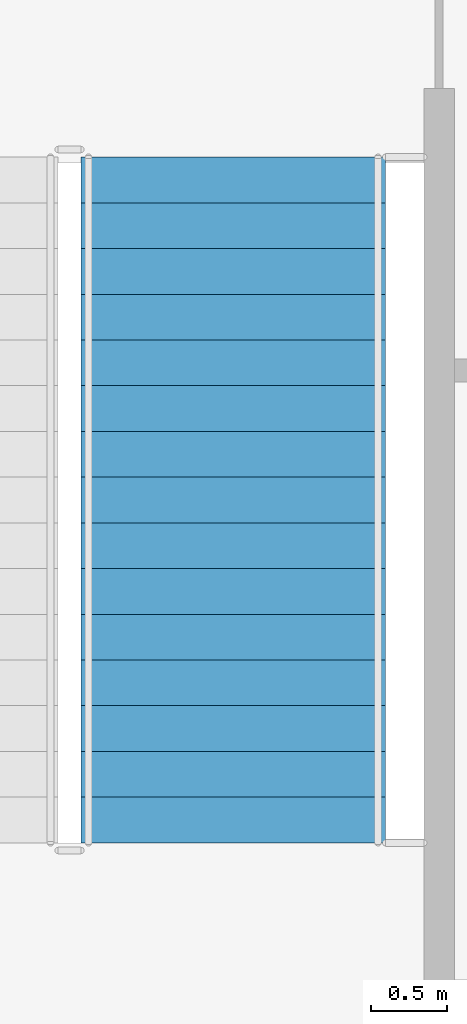
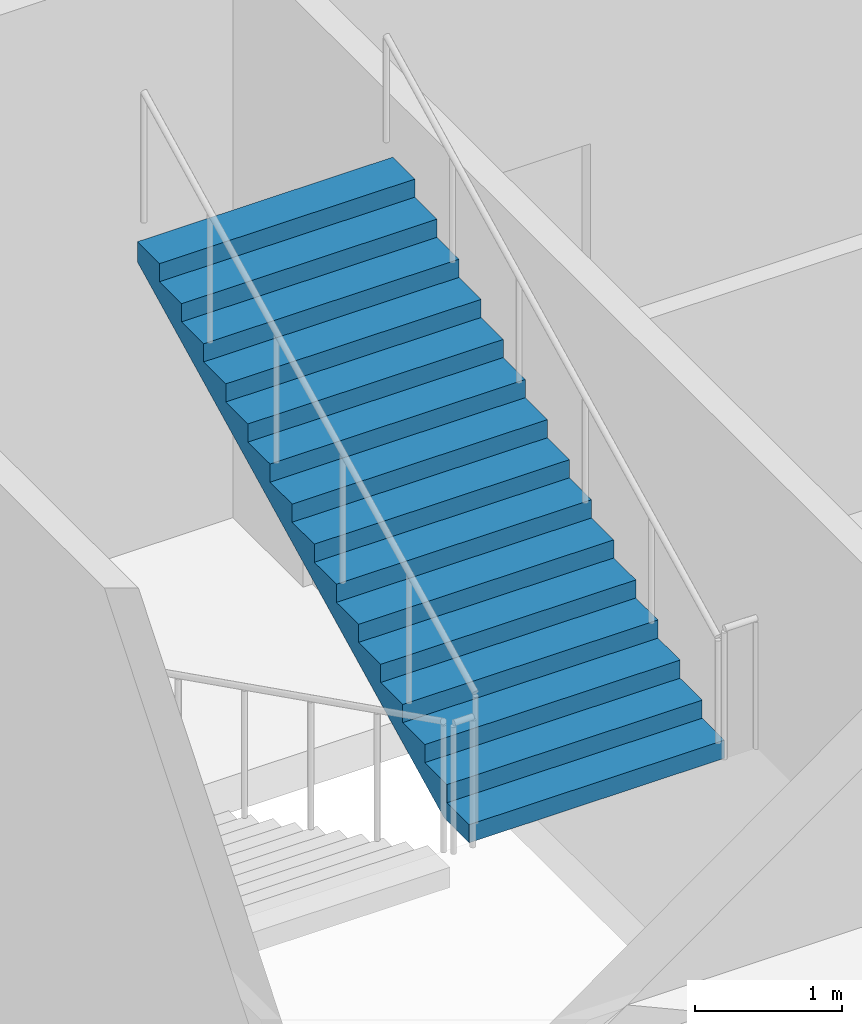
# One storey, part 61 of 86: 1 stair flight, 1 element without a shape of its own.
"""IFC4 building model written with IfcOpenShell, lengths in metres."""

import ifcopenshell
import ifcopenshell.guid

model = None  # the IFC model being written
_history = None  # IfcOwnerHistory: only IFC2X3 demands one
_inside = {}  # id of a spatial element -> (the spatial element, [elements in it])
_under = {}  # id of a project, library or spatial element -> (it, [spatial elements below it])
_declared = {}  # id of a project -> (the project, [libraries it declares])
_typed = {}  # id of a type object -> (the type object, [elements of that type])
_made_of = {}  # id of a material, layer set ... -> (it, [elements and type objects made of it])


def new_model(schema):
    """Start an empty IFC model of exactly this schema.

    Asked for "IFC4X3", IfcOpenShell would pick the latest addendum, in which some entities
    have other attributes; the version numbers below select the first issue.
    IFC2X3 requires an IfcOwnerHistory on every rooted entity: one is made here for all.
    """
    global model, _history
    if schema == "IFC4X3":
        model = ifcopenshell.file(schema_version=(4, 3, 0, 0))
    else:
        model = ifcopenshell.file(schema=schema)
    _inside.clear()
    _under.clear()
    _declared.clear()
    _typed.clear()
    _made_of.clear()
    _history = None
    if model.schema == "IFC2X3":
        org = make("IfcOrganization", Name="unknown")
        user = make(
            "IfcPersonAndOrganization",
            ThePerson=make("IfcPerson", FamilyName="unknown"),
            TheOrganization=org,
        )
        app = make(
            "IfcApplication",
            ApplicationDeveloper=org,
            Version="unknown",
            ApplicationFullName="unknown",
            ApplicationIdentifier="unknown",
        )
        _history = make(
            "IfcOwnerHistory",
            OwningUser=user,
            OwningApplication=app,
            ChangeAction="ADDED",
            CreationDate=0,
        )
    return model


def make(cls, **values):
    """One entity of the class cls with the attributes given. An attribute that is None is left unset."""
    return model.create_entity(
        cls, **{name: value for name, value in values.items() if value is not None}
    )


def rooted(cls, **values):
    """An entity with a GlobalId (a new one), such as an element, a storey or a relation."""
    return make(cls, GlobalId=ifcopenshell.guid.new(), OwnerHistory=_history, **values)


def si_unit(unit_type, name, prefix=None):
    """IfcSIUnit, for example si_unit("LENGTHUNIT", "METRE", prefix="MILLI")."""
    return make("IfcSIUnit", UnitType=unit_type, Prefix=prefix, Name=name)


def assignment(units):
    """IfcUnitAssignment: the units of a project."""
    return None if units is None else make("IfcUnitAssignment", Units=units)


def point(xyz):
    """IfcCartesianPoint."""
    return None if xyz is None else make("IfcCartesianPoint", Coordinates=xyz)


def direction(xyz):
    """IfcDirection."""
    return None if xyz is None else make("IfcDirection", DirectionRatios=xyz)


def frame(location, z_axis=None, x_axis=None):
    """IfcAxis2Placement3D, a coordinate frame: its origin and axes. An axis left out is left unset."""
    return make(
        "IfcAxis2Placement3D",
        Location=point(location),
        Axis=direction(z_axis),
        RefDirection=direction(x_axis),
    )


def origin():
    """The frame at (0, 0, 0) with its axes left unset."""
    return frame((0.0, 0.0, 0.0))


def place(relative_to, where):
    """IfcLocalPlacement: puts the frame where relative to a parent placement (None: the world)."""
    return make(
        "IfcLocalPlacement", PlacementRelTo=relative_to, RelativePlacement=where
    )


def context(
    kind, dimensions, precision=None, world=None, true_north=None, identifier=None
):
    """IfcGeometricRepresentationContext, for example the 3D "Model" context."""
    return make(
        "IfcGeometricRepresentationContext",
        ContextIdentifier=identifier,
        ContextType=kind,
        CoordinateSpaceDimension=dimensions,
        Precision=precision,
        WorldCoordinateSystem=world,
        TrueNorth=true_north,
    )


def subcontext(parent, identifier, kind, view, scale=None):
    """IfcGeometricRepresentationSubContext, for example "Body" below "Model"."""
    return make(
        "IfcGeometricRepresentationSubContext",
        ContextIdentifier=identifier,
        ContextType=kind,
        ParentContext=parent,
        TargetScale=scale,
        TargetView=view,
    )


def project(units=None, contexts=None):
    """IfcProject with its units and contexts."""
    return rooted(
        "IfcProject",
        Name="project",
        RepresentationContexts=contexts,
        UnitsInContext=assignment(units),
    )


def spatial(cls, under=None, at=None, **own):
    """A site, building, storey or space (cls), placed at a placement, below another one or the project."""
    s = rooted(cls, ObjectPlacement=at, **own)
    if under is not None:
        _under.setdefault(under.id(), (under, []))[1].append(s)
    return s


def faces_of(points, faces, orient=None, outer=None):
    """IfcFace entities. A face is a list of loops; a loop is a list of indices into points, from 0.

    orient and outer hold one flag for each loop. By default every Orientation is true, the
    first loop of a face is its IfcFaceOuterBound and the others are IfcFaceBound.
    """
    made = []
    for i, loops in enumerate(faces):
        bounds = []
        for j, loop in enumerate(loops):
            is_outer = j == 0 if outer is None else outer[i][j]
            bounds.append(
                make(
                    "IfcFaceOuterBound" if is_outer else "IfcFaceBound",
                    Bound=make("IfcPolyLoop", Polygon=[points[k] for k in loop]),
                    Orientation=True if orient is None else orient[i][j],
                )
            )
        made.append(make("IfcFace", Bounds=bounds))
    return made


def faceted_brep(points, faces, orient=None, outer=None, voids=None):
    """IfcFacetedBrep: a solid bounded by flat faces; with voids (closed shells), ...WithVoids."""
    shared = [point(p) for p in points]
    hull = make("IfcClosedShell", CfsFaces=faces_of(shared, faces, orient, outer))
    if voids is None:
        return make("IfcFacetedBrep", Outer=hull)
    return make(
        "IfcFacetedBrepWithVoids",
        Outer=hull,
        Voids=[
            make(cls, CfsFaces=faces_of(shared, fs, o, b)) for cls, fs, o, b in voids
        ],
    )


def shape(context_of_items, identifier, shape_type, items):
    """IfcShapeRepresentation: the items that make up one representation, for example the "Body"."""
    return make(
        "IfcShapeRepresentation",
        ContextOfItems=context_of_items,
        RepresentationIdentifier=identifier,
        RepresentationType=shape_type,
        Items=items,
    )


def material(Name=None, Category=None):
    """IfcMaterial."""
    return make("IfcMaterial", Name=Name, Category=Category)


def made_of(thing, what):
    """Note that an element or type object is made of a material, layer set ...; save() writes the relation."""
    if what is not None:
        _made_of.setdefault(what.id(), (what, []))[1].append(thing)
    return thing


def type_object(cls, material=None, **own):
    """A type object (cls), such as IfcWallType, which elements share."""
    return made_of(rooted(cls, **own), material)


def element(
    cls,
    number,
    at=None,
    inside=None,
    cuts=None,
    type_object=None,
    material=None,
    context=None,
    identifier="Body",
    shape_type=None,
    held_by="IfcProductDefinitionShape",
    body=None,
    shapes=None,
    **own,
):
    """One element of the class cls, such as IfcWall. Its Tag is "e" and its number.

    at: its placement. inside: the storey or other place that contains it. cuts: it is an
    opening in that element (IfcRelVoidsElement). A single representation is given by context,
    identifier, shape_type and body (its items); several are given by shapes. held_by: the class
    of the entity that holds the representations. save() writes the other relations.
    """
    e = rooted(cls, Tag="e%d" % number, ObjectPlacement=at, **own)
    if body is not None:
        shapes = [shape(context, identifier, shape_type, body)]
    if shapes is not None:
        e.Representation = make(held_by, Representations=shapes)
    if inside is not None:
        _inside.setdefault(inside.id(), (inside, []))[1].append(e)
    if cuts is not None:
        rooted(
            "IfcRelVoidsElement", RelatingBuildingElement=cuts, RelatedOpeningElement=e
        )
    if type_object is not None:
        _typed.setdefault(type_object.id(), (type_object, []))[1].append(e)
    return made_of(e, material)


def aggregate(whole, parts):
    """IfcRelAggregates: a whole, such as a stair, and the parts it consists of."""
    return rooted("IfcRelAggregates", RelatingObject=whole, RelatedObjects=parts)


def save(model, path):
    """Write the relations noted so far, then the file.

    IfcRelAggregates (storeys below a building ...), IfcRelContainedInSpatialStructure (elements
    in a storey), IfcRelDefinesByType, IfcRelAssociatesMaterial and IfcRelDeclares: one each for
    every whole, place, type object, material and project.
    """
    for whole, parts in _under.values():
        aggregate(whole, parts)
    for where, things in _inside.values():
        rooted(
            "IfcRelContainedInSpatialStructure",
            RelatedElements=things,
            RelatingStructure=where,
        )
    for kind, things in _typed.values():
        rooted("IfcRelDefinesByType", RelatedObjects=things, RelatingType=kind)
    for what, things in _made_of.values():
        rooted("IfcRelAssociatesMaterial", RelatedObjects=things, RelatingMaterial=what)
    for by, libraries in _declared.values():
        rooted("IfcRelDeclares", RelatingContext=by, RelatedDefinitions=libraries)
    model.write(path)


model = new_model("IFC4")

# Units and contexts
model_context = context("Model", 3, precision=1e-05, world=origin(), true_north=direction((0.0, 1.0)))
body_context = subcontext(model_context, "Body", "Model", "MODEL_VIEW")
ifc_project = project(units=[si_unit("LENGTHUNIT", "METRE"), si_unit("AREAUNIT", "SQUARE_METRE"), si_unit("VOLUMEUNIT", "CUBIC_METRE"), si_unit("PLANEANGLEUNIT", "RADIAN"), si_unit("MASSUNIT", "GRAM", prefix="KILO")], contexts=[model_context])

# Site, building, storey
site_placement = place(None, origin())
site = spatial("IfcSite", under=ifc_project, at=site_placement, CompositionType="ELEMENT")
building_placement = place(site_placement, origin())
building = spatial("IfcBuilding", under=site, at=building_placement, Name="Kiln Court Media Centre", CompositionType="ELEMENT")
storey_placement = place(building_placement, frame((0.0, 0.0, 10.199951171875)))
storey = spatial("IfcBuildingStorey", under=building, at=storey_placement, Name="L02", CompositionType="ELEMENT", Elevation=10.199951171875)

# Stair, stair flight
ifc_material_1 = material(Name="Concrete C40/50", Category="concrete")
stair_type = type_object("IfcStairType", Name="Concrete C40/50 dog-leg stair 2000 wide, 150 riser", PredefinedType="HALF_TURN_STAIR", material=ifc_material_1)
stair_placement = place(storey_placement, origin())
stair = element("IfcStair", 1, at=stair_placement, inside=storey, type_object=stair_type, Name="ST-07 L02", PredefinedType="HALF_TURN_STAIR")
ifc_material_2 = material(Name="Concrete C40/50", Category="concrete")
stair_flight_type = type_object("IfcStairFlightType", Name="Concrete C40/50 stair flight 2000 wide, 150 riser, 300 going", PredefinedType="STRAIGHT", material=ifc_material_2)
stair_flight_placement = place(storey_placement, frame((3.35009765625, 59.89990234375, 2.400146484375), z_axis=(0.0, 0.0, 1.0), x_axis=(0.0, 1.0, 0.0)))
stair_flight = element("IfcStairFlight", 2, at=stair_flight_placement, type_object=stair_flight_type, Name="L02-ST-5006 flight 5013", NumberOfRisers=16, NumberOfTreads=15, PredefinedType="STRAIGHT", RiserHeight=0.15, TreadLength=0.3, context=body_context, shape_type="Brep", body=[
    faceted_brep([(0.335205078125, -1.0, 0.0), (4.5, -1.0, 2.08251953125), (4.5, -1.0, 2.25), (4.199951171875, -1.0, 2.25), (4.199951171875, -1.0, 2.10009765625), (3.89990234375, -1.0, 2.10009765625), (3.89990234375, -1.0, 1.949951171875), (3.60009765625, -1.0, 1.949951171875), (3.60009765625, -1.0, 1.800048828125), (3.300048828125, -1.0, 1.800048828125), (3.300048828125, -1.0, 1.64990234375), (3.0, -1.0, 1.64990234375), (3.0, -1.0, 1.5), (2.699951171875, -1.0, 1.5), (2.699951171875, -1.0, 1.35009765625), (2.39990234375, -1.0, 1.35009765625), (2.39990234375, -1.0, 1.199951171875), (2.10009765625, -1.0, 1.199951171875), (2.10009765625, -1.0, 1.050048828125), (1.800048828125, -1.0, 1.050048828125), (1.800048828125, -1.0, 0.89990234375), (1.5, -1.0, 0.89990234375), (1.5, -1.0, 0.75), (1.199951171875, -1.0, 0.75), (1.199951171875, -1.0, 0.60009765625), (0.89990234375, -1.0, 0.60009765625), (0.89990234375, -1.0, 0.449951171875), (0.60009765625, -1.0, 0.449951171875), (0.60009765625, -1.0, 0.300048828125), (0.300048828125, -1.0, 0.300048828125), (0.300048828125, -1.0, 0.14990234375), (0.0, -1.0, 0.14990234375), (0.0, -1.0, 0.0), (0.0, 1.0, 0.0), (0.0, 1.0, 0.14990234375), (0.300048828125, 1.0, 0.14990234375), (0.300048828125, 1.0, 0.300048828125), (0.60009765625, 1.0, 0.300048828125), (0.60009765625, 1.0, 0.449951171875), (0.89990234375, 1.0, 0.449951171875), (0.89990234375, 1.0, 0.60009765625), (1.199951171875, 1.0, 0.60009765625), (1.199951171875, 1.0, 0.75), (1.5, 1.0, 0.75), (1.5, 1.0, 0.89990234375), (1.800048828125, 1.0, 0.89990234375), (1.800048828125, 1.0, 1.050048828125), (2.10009765625, 1.0, 1.050048828125), (2.10009765625, 1.0, 1.199951171875), (2.39990234375, 1.0, 1.199951171875), (2.39990234375, 1.0, 1.35009765625), (2.699951171875, 1.0, 1.35009765625), (2.699951171875, 1.0, 1.5), (3.0, 1.0, 1.5), (3.0, 1.0, 1.64990234375), (3.300048828125, 1.0, 1.64990234375), (3.300048828125, 1.0, 1.800048828125), (3.60009765625, 1.0, 1.800048828125), (3.60009765625, 1.0, 1.949951171875), (3.89990234375, 1.0, 1.949951171875), (3.89990234375, 1.0, 2.10009765625), (4.199951171875, 1.0, 2.10009765625), (4.199951171875, 1.0, 2.25), (4.5, 1.0, 2.25), (4.5, 1.0, 2.08251953125), (0.335205078125, 1.0, 0.0), (4.5, 0.10009765625, 2.08251953125), (0.335205078125, 0.10009765625, 0.0), (4.5, 0.080078125, 2.08251953125), (0.335205078125, 0.080078125, 0.0), (4.5, 0.06005859375, 2.08251953125), (0.335205078125, 0.06005859375, 0.0), (4.5, 0.0400390625, 2.08251953125), (0.335205078125, 0.0400390625, 0.0), (4.5, 0.02001953125, 2.08251953125), (0.335205078125, 0.02001953125, 0.0), (4.5, 0.0, 2.08251953125), (0.335205078125, 0.0, 0.0), (4.5, -0.02001953125, 2.08251953125), (0.335205078125, -0.02001953125, 0.0), (4.5, -0.0400390625, 2.08251953125), (0.335205078125, -0.0400390625, 0.0), (4.5, -0.06005859375, 2.08251953125), (0.335205078125, -0.06005859375, 0.0), (4.5, -0.080078125, 2.08251953125), (0.335205078125, -0.080078125, 0.0), (4.5, -0.10009765625, 2.08251953125), (0.335205078125, -0.10009765625, 0.0), (4.5, 0.10009765625, 2.25), (4.5, 0.080078125, 2.25), (4.5, 0.06005859375, 2.25), (4.5, 0.0400390625, 2.25), (4.5, 0.02001953125, 2.25), (4.5, 0.0, 2.25), (4.5, -0.02001953125, 2.25), (4.5, -0.0400390625, 2.25), (4.5, -0.06005859375, 2.25), (4.5, -0.080078125, 2.25), (4.5, -0.10009765625, 2.25), (4.199951171875, 0.10009765625, 2.25), (4.199951171875, 0.080078125, 2.25), (4.199951171875, 0.06005859375, 2.25), (4.199951171875, 0.0400390625, 2.25), (4.199951171875, 0.02001953125, 2.25), (4.199951171875, 0.0, 2.25), (4.199951171875, -0.02001953125, 2.25), (4.199951171875, -0.0400390625, 2.25), (4.199951171875, -0.06005859375, 2.25), (4.199951171875, -0.080078125, 2.25), (4.199951171875, -0.10009765625, 2.25), (4.199951171875, 0.10009765625, 2.10009765625), (4.199951171875, 0.080078125, 2.10009765625), (4.199951171875, 0.06005859375, 2.10009765625), (4.199951171875, 0.0400390625, 2.10009765625), (4.199951171875, 0.02001953125, 2.10009765625), (4.199951171875, 0.0, 2.10009765625), (4.199951171875, -0.02001953125, 2.10009765625), (4.199951171875, -0.0400390625, 2.10009765625), (4.199951171875, -0.06005859375, 2.10009765625), (4.199951171875, -0.080078125, 2.10009765625), (4.199951171875, -0.10009765625, 2.10009765625), (3.89990234375, 0.10009765625, 2.10009765625), (3.89990234375, 0.080078125, 2.10009765625), (3.89990234375, 0.06005859375, 2.10009765625), (3.89990234375, 0.0400390625, 2.10009765625), (3.89990234375, 0.02001953125, 2.10009765625), (3.89990234375, 0.0, 2.10009765625), (3.89990234375, -0.02001953125, 2.10009765625), (3.89990234375, -0.0400390625, 2.10009765625), (3.89990234375, -0.06005859375, 2.10009765625), (3.89990234375, -0.080078125, 2.10009765625), (3.89990234375, -0.10009765625, 2.10009765625), (3.89990234375, 0.10009765625, 1.949951171875), (3.89990234375, 0.080078125, 1.949951171875), (3.89990234375, 0.06005859375, 1.949951171875), (3.89990234375, 0.0400390625, 1.949951171875), (3.89990234375, 0.02001953125, 1.949951171875), (3.89990234375, 0.0, 1.949951171875), (3.89990234375, -0.02001953125, 1.949951171875), (3.89990234375, -0.0400390625, 1.949951171875), (3.89990234375, -0.06005859375, 1.949951171875), (3.89990234375, -0.080078125, 1.949951171875), (3.89990234375, -0.10009765625, 1.949951171875), (3.60009765625, 0.10009765625, 1.949951171875), (3.60009765625, 0.080078125, 1.949951171875), (3.60009765625, 0.06005859375, 1.949951171875), (3.60009765625, 0.0400390625, 1.949951171875), (3.60009765625, 0.02001953125, 1.949951171875), (3.60009765625, 0.0, 1.949951171875), (3.60009765625, -0.02001953125, 1.949951171875), (3.60009765625, -0.0400390625, 1.949951171875), (3.60009765625, -0.06005859375, 1.949951171875), (3.60009765625, -0.080078125, 1.949951171875), (3.60009765625, -0.10009765625, 1.949951171875), (3.60009765625, 0.10009765625, 1.800048828125), (3.60009765625, 0.080078125, 1.800048828125), (3.60009765625, 0.06005859375, 1.800048828125), (3.60009765625, 0.0400390625, 1.800048828125), (3.60009765625, 0.02001953125, 1.800048828125), (3.60009765625, 0.0, 1.800048828125), (3.60009765625, -0.02001953125, 1.800048828125), (3.60009765625, -0.0400390625, 1.800048828125), (3.60009765625, -0.06005859375, 1.800048828125), (3.60009765625, -0.080078125, 1.800048828125), (3.60009765625, -0.10009765625, 1.800048828125), (3.300048828125, 0.10009765625, 1.800048828125), (3.300048828125, 0.080078125, 1.800048828125), (3.300048828125, 0.06005859375, 1.800048828125), (3.300048828125, 0.0400390625, 1.800048828125), (3.300048828125, 0.02001953125, 1.800048828125), (3.300048828125, 0.0, 1.800048828125), (3.300048828125, -0.02001953125, 1.800048828125), (3.300048828125, -0.0400390625, 1.800048828125), (3.300048828125, -0.06005859375, 1.800048828125), (3.300048828125, -0.080078125, 1.800048828125), (3.300048828125, -0.10009765625, 1.800048828125), (3.300048828125, 0.10009765625, 1.64990234375), (3.300048828125, 0.080078125, 1.64990234375), (3.300048828125, 0.06005859375, 1.64990234375), (3.300048828125, 0.0400390625, 1.64990234375), (3.300048828125, 0.02001953125, 1.64990234375), (3.300048828125, 0.0, 1.64990234375), (3.300048828125, -0.02001953125, 1.64990234375), (3.300048828125, -0.0400390625, 1.64990234375), (3.300048828125, -0.06005859375, 1.64990234375), (3.300048828125, -0.080078125, 1.64990234375), (3.300048828125, -0.10009765625, 1.64990234375), (3.0, 0.10009765625, 1.64990234375), (3.0, 0.080078125, 1.64990234375), (3.0, 0.06005859375, 1.64990234375), (3.0, 0.0400390625, 1.64990234375), (3.0, 0.02001953125, 1.64990234375), (3.0, 0.0, 1.64990234375), (3.0, -0.02001953125, 1.64990234375), (3.0, -0.0400390625, 1.64990234375), (3.0, -0.06005859375, 1.64990234375), (3.0, -0.080078125, 1.64990234375), (3.0, -0.10009765625, 1.64990234375), (3.0, 0.10009765625, 1.5), (3.0, 0.080078125, 1.5), (3.0, 0.06005859375, 1.5), (3.0, 0.0400390625, 1.5), (3.0, 0.02001953125, 1.5), (3.0, 0.0, 1.5), (3.0, -0.02001953125, 1.5), (3.0, -0.0400390625, 1.5), (3.0, -0.06005859375, 1.5), (3.0, -0.080078125, 1.5), (3.0, -0.10009765625, 1.5), (2.699951171875, 0.10009765625, 1.5), (2.699951171875, 0.080078125, 1.5), (2.699951171875, 0.06005859375, 1.5), (2.699951171875, 0.0400390625, 1.5), (2.699951171875, 0.02001953125, 1.5), (2.699951171875, 0.0, 1.5), (2.699951171875, -0.02001953125, 1.5), (2.699951171875, -0.0400390625, 1.5), (2.699951171875, -0.06005859375, 1.5), (2.699951171875, -0.080078125, 1.5), (2.699951171875, -0.10009765625, 1.5), (2.699951171875, 0.10009765625, 1.35009765625), (2.699951171875, 0.080078125, 1.35009765625), (2.699951171875, 0.06005859375, 1.35009765625), (2.699951171875, 0.0400390625, 1.35009765625), (2.699951171875, 0.02001953125, 1.35009765625), (2.699951171875, 0.0, 1.35009765625), (2.699951171875, -0.02001953125, 1.35009765625), (2.699951171875, -0.0400390625, 1.35009765625), (2.699951171875, -0.06005859375, 1.35009765625), (2.699951171875, -0.080078125, 1.35009765625), (2.699951171875, -0.10009765625, 1.35009765625), (2.39990234375, 0.10009765625, 1.35009765625), (2.39990234375, 0.080078125, 1.35009765625), (2.39990234375, 0.06005859375, 1.35009765625), (2.39990234375, 0.0400390625, 1.35009765625), (2.39990234375, 0.02001953125, 1.35009765625), (2.39990234375, 0.0, 1.35009765625), (2.39990234375, -0.02001953125, 1.35009765625), (2.39990234375, -0.0400390625, 1.35009765625), (2.39990234375, -0.06005859375, 1.35009765625), (2.39990234375, -0.080078125, 1.35009765625), (2.39990234375, -0.10009765625, 1.35009765625), (2.39990234375, 0.10009765625, 1.199951171875), (2.39990234375, 0.080078125, 1.199951171875), (2.39990234375, 0.06005859375, 1.199951171875), (2.39990234375, 0.0400390625, 1.199951171875), (2.39990234375, 0.02001953125, 1.199951171875), (2.39990234375, 0.0, 1.199951171875), (2.39990234375, -0.02001953125, 1.199951171875), (2.39990234375, -0.0400390625, 1.199951171875), (2.39990234375, -0.06005859375, 1.199951171875), (2.39990234375, -0.080078125, 1.199951171875), (2.39990234375, -0.10009765625, 1.199951171875), (2.10009765625, 0.10009765625, 1.199951171875), (2.10009765625, 0.080078125, 1.199951171875), (2.10009765625, 0.06005859375, 1.199951171875), (2.10009765625, 0.0400390625, 1.199951171875), (2.10009765625, 0.02001953125, 1.199951171875), (2.10009765625, 0.0, 1.199951171875), (2.10009765625, -0.02001953125, 1.199951171875), (2.10009765625, -0.0400390625, 1.199951171875), (2.10009765625, -0.06005859375, 1.199951171875), (2.10009765625, -0.080078125, 1.199951171875), (2.10009765625, -0.10009765625, 1.199951171875), (2.10009765625, 0.10009765625, 1.050048828125), (2.10009765625, 0.080078125, 1.050048828125), (2.10009765625, 0.06005859375, 1.050048828125), (2.10009765625, 0.0400390625, 1.050048828125), (2.10009765625, 0.02001953125, 1.050048828125), (2.10009765625, 0.0, 1.050048828125), (2.10009765625, -0.02001953125, 1.050048828125), (2.10009765625, -0.0400390625, 1.050048828125), (2.10009765625, -0.06005859375, 1.050048828125), (2.10009765625, -0.080078125, 1.050048828125), (2.10009765625, -0.10009765625, 1.050048828125), (1.800048828125, 0.10009765625, 1.050048828125), (1.800048828125, 0.080078125, 1.050048828125), (1.800048828125, 0.06005859375, 1.050048828125), (1.800048828125, 0.0400390625, 1.050048828125), (1.800048828125, 0.02001953125, 1.050048828125), (1.800048828125, 0.0, 1.050048828125), (1.800048828125, -0.02001953125, 1.050048828125), (1.800048828125, -0.0400390625, 1.050048828125), (1.800048828125, -0.06005859375, 1.050048828125), (1.800048828125, -0.080078125, 1.050048828125), (1.800048828125, -0.10009765625, 1.050048828125), (1.800048828125, 0.10009765625, 0.89990234375), (1.800048828125, 0.080078125, 0.89990234375), (1.800048828125, 0.06005859375, 0.89990234375), (1.800048828125, 0.0400390625, 0.89990234375), (1.800048828125, 0.02001953125, 0.89990234375), (1.800048828125, 0.0, 0.89990234375), (1.800048828125, -0.02001953125, 0.89990234375), (1.800048828125, -0.0400390625, 0.89990234375), (1.800048828125, -0.06005859375, 0.89990234375), (1.800048828125, -0.080078125, 0.89990234375), (1.800048828125, -0.10009765625, 0.89990234375), (1.5, 0.10009765625, 0.89990234375), (1.5, 0.080078125, 0.89990234375), (1.5, 0.06005859375, 0.89990234375), (1.5, 0.0400390625, 0.89990234375), (1.5, 0.02001953125, 0.89990234375), (1.5, 0.0, 0.89990234375), (1.5, -0.02001953125, 0.89990234375), (1.5, -0.0400390625, 0.89990234375), (1.5, -0.06005859375, 0.89990234375), (1.5, -0.080078125, 0.89990234375), (1.5, -0.10009765625, 0.89990234375), (1.5, 0.10009765625, 0.75), (1.5, 0.080078125, 0.75), (1.5, 0.06005859375, 0.75), (1.5, 0.0400390625, 0.75), (1.5, 0.02001953125, 0.75), (1.5, 0.0, 0.75), (1.5, -0.02001953125, 0.75), (1.5, -0.0400390625, 0.75), (1.5, -0.06005859375, 0.75), (1.5, -0.080078125, 0.75), (1.5, -0.10009765625, 0.75), (1.199951171875, 0.10009765625, 0.75), (1.199951171875, 0.080078125, 0.75), (1.199951171875, 0.06005859375, 0.75), (1.199951171875, 0.0400390625, 0.75), (1.199951171875, 0.02001953125, 0.75), (1.199951171875, 0.0, 0.75), (1.199951171875, -0.02001953125, 0.75), (1.199951171875, -0.0400390625, 0.75), (1.199951171875, -0.06005859375, 0.75), (1.199951171875, -0.080078125, 0.75), (1.199951171875, -0.10009765625, 0.75), (1.199951171875, 0.10009765625, 0.60009765625), (1.199951171875, 0.080078125, 0.60009765625), (1.199951171875, 0.06005859375, 0.60009765625), (1.199951171875, 0.0400390625, 0.60009765625), (1.199951171875, 0.02001953125, 0.60009765625), (1.199951171875, 0.0, 0.60009765625), (1.199951171875, -0.02001953125, 0.60009765625), (1.199951171875, -0.0400390625, 0.60009765625), (1.199951171875, -0.06005859375, 0.60009765625), (1.199951171875, -0.080078125, 0.60009765625), (1.199951171875, -0.10009765625, 0.60009765625), (0.89990234375, 0.10009765625, 0.60009765625), (0.89990234375, 0.080078125, 0.60009765625), (0.89990234375, 0.06005859375, 0.60009765625), (0.89990234375, 0.0400390625, 0.60009765625), (0.89990234375, 0.02001953125, 0.60009765625), (0.89990234375, 0.0, 0.60009765625), (0.89990234375, -0.02001953125, 0.60009765625), (0.89990234375, -0.0400390625, 0.60009765625), (0.89990234375, -0.06005859375, 0.60009765625), (0.89990234375, -0.080078125, 0.60009765625), (0.89990234375, -0.10009765625, 0.60009765625), (0.89990234375, 0.10009765625, 0.449951171875), (0.89990234375, 0.080078125, 0.449951171875), (0.89990234375, 0.06005859375, 0.449951171875), (0.89990234375, 0.0400390625, 0.449951171875), (0.89990234375, 0.02001953125, 0.449951171875), (0.89990234375, 0.0, 0.449951171875), (0.89990234375, -0.02001953125, 0.449951171875), (0.89990234375, -0.0400390625, 0.449951171875), (0.89990234375, -0.06005859375, 0.449951171875), (0.89990234375, -0.080078125, 0.449951171875), (0.89990234375, -0.10009765625, 0.449951171875), (0.60009765625, 0.10009765625, 0.449951171875), (0.60009765625, 0.080078125, 0.449951171875), (0.60009765625, 0.06005859375, 0.449951171875), (0.60009765625, 0.0400390625, 0.449951171875), (0.60009765625, 0.02001953125, 0.449951171875), (0.60009765625, 0.0, 0.449951171875), (0.60009765625, -0.02001953125, 0.449951171875), (0.60009765625, -0.0400390625, 0.449951171875), (0.60009765625, -0.06005859375, 0.449951171875), (0.60009765625, -0.080078125, 0.449951171875), (0.60009765625, -0.10009765625, 0.449951171875), (0.60009765625, 0.10009765625, 0.300048828125), (0.60009765625, 0.080078125, 0.300048828125), (0.60009765625, 0.06005859375, 0.300048828125), (0.60009765625, 0.0400390625, 0.300048828125), (0.60009765625, 0.02001953125, 0.300048828125), (0.60009765625, 0.0, 0.300048828125), (0.60009765625, -0.02001953125, 0.300048828125), (0.60009765625, -0.0400390625, 0.300048828125), (0.60009765625, -0.06005859375, 0.300048828125), (0.60009765625, -0.080078125, 0.300048828125), (0.60009765625, -0.10009765625, 0.300048828125), (0.300048828125, 0.10009765625, 0.300048828125), (0.300048828125, 0.080078125, 0.300048828125), (0.300048828125, 0.06005859375, 0.300048828125), (0.300048828125, 0.0400390625, 0.300048828125), (0.300048828125, 0.02001953125, 0.300048828125), (0.300048828125, 0.0, 0.300048828125), (0.300048828125, -0.02001953125, 0.300048828125), (0.300048828125, -0.0400390625, 0.300048828125), (0.300048828125, -0.06005859375, 0.300048828125), (0.300048828125, -0.080078125, 0.300048828125), (0.300048828125, -0.10009765625, 0.300048828125), (0.300048828125, 0.10009765625, 0.14990234375), (0.300048828125, 0.080078125, 0.14990234375), (0.300048828125, 0.06005859375, 0.14990234375), (0.300048828125, 0.0400390625, 0.14990234375), (0.300048828125, 0.02001953125, 0.14990234375), (0.300048828125, 0.0, 0.14990234375), (0.300048828125, -0.02001953125, 0.14990234375), (0.300048828125, -0.0400390625, 0.14990234375), (0.300048828125, -0.06005859375, 0.14990234375), (0.300048828125, -0.080078125, 0.14990234375), (0.300048828125, -0.10009765625, 0.14990234375), (0.0, 0.10009765625, 0.14990234375), (0.0, 0.080078125, 0.14990234375), (0.0, 0.06005859375, 0.14990234375), (0.0, 0.0400390625, 0.14990234375), (0.0, 0.02001953125, 0.14990234375), (0.0, 0.0, 0.14990234375), (0.0, -0.02001953125, 0.14990234375), (0.0, -0.0400390625, 0.14990234375), (0.0, -0.06005859375, 0.14990234375), (0.0, -0.080078125, 0.14990234375), (0.0, -0.10009765625, 0.14990234375), (0.0, 0.10009765625, 0.0), (0.0, 0.080078125, 0.0), (0.0, 0.06005859375, 0.0), (0.0, 0.0400390625, 0.0), (0.0, 0.02001953125, 0.0), (0.0, 0.0, 0.0), (0.0, -0.02001953125, 0.0), (0.0, -0.0400390625, 0.0), (0.0, -0.06005859375, 0.0), (0.0, -0.080078125, 0.0), (0.0, -0.10009765625, 0.0)], [[[0, 1, 2, 3, 4, 5, 6, 7, 8, 9, 10, 11, 12, 13, 14, 15, 16, 17, 18, 19, 20, 21, 22, 23, 24, 25, 26, 27, 28, 29, 30, 31, 32]], [[33, 34, 35, 36, 37, 38, 39, 40, 41, 42, 43, 44, 45, 46, 47, 48, 49, 50, 51, 52, 53, 54, 55, 56, 57, 58, 59, 60, 61, 62, 63, 64, 65]], [[65, 64, 66, 67]], [[67, 66, 68, 69]], [[69, 68, 70, 71]], [[71, 70, 72, 73]], [[73, 72, 74, 75]], [[75, 74, 76, 77]], [[77, 76, 78, 79]], [[79, 78, 80, 81]], [[81, 80, 82, 83]], [[83, 82, 84, 85]], [[85, 84, 86, 87]], [[87, 86, 1, 0]], [[64, 63, 88, 66]], [[66, 88, 89, 68]], [[68, 89, 90, 70]], [[70, 90, 91, 72]], [[72, 91, 92, 74]], [[74, 92, 93, 76]], [[76, 93, 94, 78]], [[78, 94, 95, 80]], [[80, 95, 96, 82]], [[82, 96, 97, 84]], [[84, 97, 98, 86]], [[86, 98, 2, 1]], [[63, 62, 99, 88]], [[88, 99, 100, 89]], [[89, 100, 101, 90]], [[90, 101, 102, 91]], [[91, 102, 103, 92]], [[92, 103, 104, 93]], [[93, 104, 105, 94]], [[94, 105, 106, 95]], [[95, 106, 107, 96]], [[96, 107, 108, 97]], [[97, 108, 109, 98]], [[98, 109, 3, 2]], [[62, 61, 110, 99]], [[99, 110, 111, 100]], [[100, 111, 112, 101]], [[101, 112, 113, 102]], [[102, 113, 114, 103]], [[103, 114, 115, 104]], [[104, 115, 116, 105]], [[105, 116, 117, 106]], [[106, 117, 118, 107]], [[107, 118, 119, 108]], [[108, 119, 120, 109]], [[109, 120, 4, 3]], [[61, 60, 121, 110]], [[110, 121, 122, 111]], [[111, 122, 123, 112]], [[112, 123, 124, 113]], [[113, 124, 125, 114]], [[114, 125, 126, 115]], [[115, 126, 127, 116]], [[116, 127, 128, 117]], [[117, 128, 129, 118]], [[118, 129, 130, 119]], [[119, 130, 131, 120]], [[120, 131, 5, 4]], [[60, 59, 132, 121]], [[121, 132, 133, 122]], [[122, 133, 134, 123]], [[123, 134, 135, 124]], [[124, 135, 136, 125]], [[125, 136, 137, 126]], [[126, 137, 138, 127]], [[127, 138, 139, 128]], [[128, 139, 140, 129]], [[129, 140, 141, 130]], [[130, 141, 142, 131]], [[131, 142, 6, 5]], [[59, 58, 143, 132]], [[132, 143, 144, 133]], [[133, 144, 145, 134]], [[134, 145, 146, 135]], [[135, 146, 147, 136]], [[136, 147, 148, 137]], [[137, 148, 149, 138]], [[138, 149, 150, 139]], [[139, 150, 151, 140]], [[140, 151, 152, 141]], [[141, 152, 153, 142]], [[142, 153, 7, 6]], [[58, 57, 154, 143]], [[143, 154, 155, 144]], [[144, 155, 156, 145]], [[145, 156, 157, 146]], [[146, 157, 158, 147]], [[147, 158, 159, 148]], [[148, 159, 160, 149]], [[149, 160, 161, 150]], [[150, 161, 162, 151]], [[151, 162, 163, 152]], [[152, 163, 164, 153]], [[153, 164, 8, 7]], [[57, 56, 165, 154]], [[154, 165, 166, 155]], [[155, 166, 167, 156]], [[156, 167, 168, 157]], [[157, 168, 169, 158]], [[158, 169, 170, 159]], [[159, 170, 171, 160]], [[160, 171, 172, 161]], [[161, 172, 173, 162]], [[162, 173, 174, 163]], [[163, 174, 175, 164]], [[164, 175, 9, 8]], [[56, 55, 176, 165]], [[165, 176, 177, 166]], [[166, 177, 178, 167]], [[167, 178, 179, 168]], [[168, 179, 180, 169]], [[169, 180, 181, 170]], [[170, 181, 182, 171]], [[171, 182, 183, 172]], [[172, 183, 184, 173]], [[173, 184, 185, 174]], [[174, 185, 186, 175]], [[175, 186, 10, 9]], [[55, 54, 187, 176]], [[176, 187, 188, 177]], [[177, 188, 189, 178]], [[178, 189, 190, 179]], [[179, 190, 191, 180]], [[180, 191, 192, 181]], [[181, 192, 193, 182]], [[182, 193, 194, 183]], [[183, 194, 195, 184]], [[184, 195, 196, 185]], [[185, 196, 197, 186]], [[186, 197, 11, 10]], [[54, 53, 198, 187]], [[187, 198, 199, 188]], [[188, 199, 200, 189]], [[189, 200, 201, 190]], [[190, 201, 202, 191]], [[191, 202, 203, 192]], [[192, 203, 204, 193]], [[193, 204, 205, 194]], [[194, 205, 206, 195]], [[195, 206, 207, 196]], [[196, 207, 208, 197]], [[197, 208, 12, 11]], [[53, 52, 209, 198]], [[198, 209, 210, 199]], [[199, 210, 211, 200]], [[200, 211, 212, 201]], [[201, 212, 213, 202]], [[202, 213, 214, 203]], [[203, 214, 215, 204]], [[204, 215, 216, 205]], [[205, 216, 217, 206]], [[206, 217, 218, 207]], [[207, 218, 219, 208]], [[208, 219, 13, 12]], [[52, 51, 220, 209]], [[209, 220, 221, 210]], [[210, 221, 222, 211]], [[211, 222, 223, 212]], [[212, 223, 224, 213]], [[213, 224, 225, 214]], [[214, 225, 226, 215]], [[215, 226, 227, 216]], [[216, 227, 228, 217]], [[217, 228, 229, 218]], [[218, 229, 230, 219]], [[219, 230, 14, 13]], [[51, 50, 231, 220]], [[220, 231, 232, 221]], [[221, 232, 233, 222]], [[222, 233, 234, 223]], [[223, 234, 235, 224]], [[224, 235, 236, 225]], [[225, 236, 237, 226]], [[226, 237, 238, 227]], [[227, 238, 239, 228]], [[228, 239, 240, 229]], [[229, 240, 241, 230]], [[230, 241, 15, 14]], [[50, 49, 242, 231]], [[231, 242, 243, 232]], [[232, 243, 244, 233]], [[233, 244, 245, 234]], [[234, 245, 246, 235]], [[235, 246, 247, 236]], [[236, 247, 248, 237]], [[237, 248, 249, 238]], [[238, 249, 250, 239]], [[239, 250, 251, 240]], [[240, 251, 252, 241]], [[241, 252, 16, 15]], [[49, 48, 253, 242]], [[242, 253, 254, 243]], [[243, 254, 255, 244]], [[244, 255, 256, 245]], [[245, 256, 257, 246]], [[246, 257, 258, 247]], [[247, 258, 259, 248]], [[248, 259, 260, 249]], [[249, 260, 261, 250]], [[250, 261, 262, 251]], [[251, 262, 263, 252]], [[252, 263, 17, 16]], [[48, 47, 264, 253]], [[253, 264, 265, 254]], [[254, 265, 266, 255]], [[255, 266, 267, 256]], [[256, 267, 268, 257]], [[257, 268, 269, 258]], [[258, 269, 270, 259]], [[259, 270, 271, 260]], [[260, 271, 272, 261]], [[261, 272, 273, 262]], [[262, 273, 274, 263]], [[263, 274, 18, 17]], [[47, 46, 275, 264]], [[264, 275, 276, 265]], [[265, 276, 277, 266]], [[266, 277, 278, 267]], [[267, 278, 279, 268]], [[268, 279, 280, 269]], [[269, 280, 281, 270]], [[270, 281, 282, 271]], [[271, 282, 283, 272]], [[272, 283, 284, 273]], [[273, 284, 285, 274]], [[274, 285, 19, 18]], [[46, 45, 286, 275]], [[275, 286, 287, 276]], [[276, 287, 288, 277]], [[277, 288, 289, 278]], [[278, 289, 290, 279]], [[279, 290, 291, 280]], [[280, 291, 292, 281]], [[281, 292, 293, 282]], [[282, 293, 294, 283]], [[283, 294, 295, 284]], [[284, 295, 296, 285]], [[285, 296, 20, 19]], [[45, 44, 297, 286]], [[286, 297, 298, 287]], [[287, 298, 299, 288]], [[288, 299, 300, 289]], [[289, 300, 301, 290]], [[290, 301, 302, 291]], [[291, 302, 303, 292]], [[292, 303, 304, 293]], [[293, 304, 305, 294]], [[294, 305, 306, 295]], [[295, 306, 307, 296]], [[296, 307, 21, 20]], [[44, 43, 308, 297]], [[297, 308, 309, 298]], [[298, 309, 310, 299]], [[299, 310, 311, 300]], [[300, 311, 312, 301]], [[301, 312, 313, 302]], [[302, 313, 314, 303]], [[303, 314, 315, 304]], [[304, 315, 316, 305]], [[305, 316, 317, 306]], [[306, 317, 318, 307]], [[307, 318, 22, 21]], [[43, 42, 319, 308]], [[308, 319, 320, 309]], [[309, 320, 321, 310]], [[310, 321, 322, 311]], [[311, 322, 323, 312]], [[312, 323, 324, 313]], [[313, 324, 325, 314]], [[314, 325, 326, 315]], [[315, 326, 327, 316]], [[316, 327, 328, 317]], [[317, 328, 329, 318]], [[318, 329, 23, 22]], [[42, 41, 330, 319]], [[319, 330, 331, 320]], [[320, 331, 332, 321]], [[321, 332, 333, 322]], [[322, 333, 334, 323]], [[323, 334, 335, 324]], [[324, 335, 336, 325]], [[325, 336, 337, 326]], [[326, 337, 338, 327]], [[327, 338, 339, 328]], [[328, 339, 340, 329]], [[329, 340, 24, 23]], [[41, 40, 341, 330]], [[330, 341, 342, 331]], [[331, 342, 343, 332]], [[332, 343, 344, 333]], [[333, 344, 345, 334]], [[334, 345, 346, 335]], [[335, 346, 347, 336]], [[336, 347, 348, 337]], [[337, 348, 349, 338]], [[338, 349, 350, 339]], [[339, 350, 351, 340]], [[340, 351, 25, 24]], [[40, 39, 352, 341]], [[341, 352, 353, 342]], [[342, 353, 354, 343]], [[343, 354, 355, 344]], [[344, 355, 356, 345]], [[345, 356, 357, 346]], [[346, 357, 358, 347]], [[347, 358, 359, 348]], [[348, 359, 360, 349]], [[349, 360, 361, 350]], [[350, 361, 362, 351]], [[351, 362, 26, 25]], [[39, 38, 363, 352]], [[352, 363, 364, 353]], [[353, 364, 365, 354]], [[354, 365, 366, 355]], [[355, 366, 367, 356]], [[356, 367, 368, 357]], [[357, 368, 369, 358]], [[358, 369, 370, 359]], [[359, 370, 371, 360]], [[360, 371, 372, 361]], [[361, 372, 373, 362]], [[362, 373, 27, 26]], [[38, 37, 374, 363]], [[363, 374, 375, 364]], [[364, 375, 376, 365]], [[365, 376, 377, 366]], [[366, 377, 378, 367]], [[367, 378, 379, 368]], [[368, 379, 380, 369]], [[369, 380, 381, 370]], [[370, 381, 382, 371]], [[371, 382, 383, 372]], [[372, 383, 384, 373]], [[373, 384, 28, 27]], [[37, 36, 385, 374]], [[374, 385, 386, 375]], [[375, 386, 387, 376]], [[376, 387, 388, 377]], [[377, 388, 389, 378]], [[378, 389, 390, 379]], [[379, 390, 391, 380]], [[380, 391, 392, 381]], [[381, 392, 393, 382]], [[382, 393, 394, 383]], [[383, 394, 395, 384]], [[384, 395, 29, 28]], [[36, 35, 396, 385]], [[385, 396, 397, 386]], [[386, 397, 398, 387]], [[387, 398, 399, 388]], [[388, 399, 400, 389]], [[389, 400, 401, 390]], [[390, 401, 402, 391]], [[391, 402, 403, 392]], [[392, 403, 404, 393]], [[393, 404, 405, 394]], [[394, 405, 406, 395]], [[395, 406, 30, 29]], [[35, 34, 407, 396]], [[396, 407, 408, 397]], [[397, 408, 409, 398]], [[398, 409, 410, 399]], [[399, 410, 411, 400]], [[400, 411, 412, 401]], [[401, 412, 413, 402]], [[402, 413, 414, 403]], [[403, 414, 415, 404]], [[404, 415, 416, 405]], [[405, 416, 417, 406]], [[406, 417, 31, 30]], [[34, 33, 418, 407]], [[407, 418, 419, 408]], [[408, 419, 420, 409]], [[409, 420, 421, 410]], [[410, 421, 422, 411]], [[411, 422, 423, 412]], [[412, 423, 424, 413]], [[413, 424, 425, 414]], [[414, 425, 426, 415]], [[415, 426, 427, 416]], [[416, 427, 428, 417]], [[417, 428, 32, 31]], [[33, 65, 67, 418]], [[418, 67, 69, 419]], [[419, 69, 71, 420]], [[420, 71, 73, 421]], [[421, 73, 75, 422]], [[422, 75, 77, 423]], [[423, 77, 79, 424]], [[424, 79, 81, 425]], [[425, 81, 83, 426]], [[426, 83, 85, 427]], [[427, 85, 87, 428]], [[428, 87, 0, 32]]]),
])
aggregate(stair, [stair_flight])

save(model, "model.ifc")
